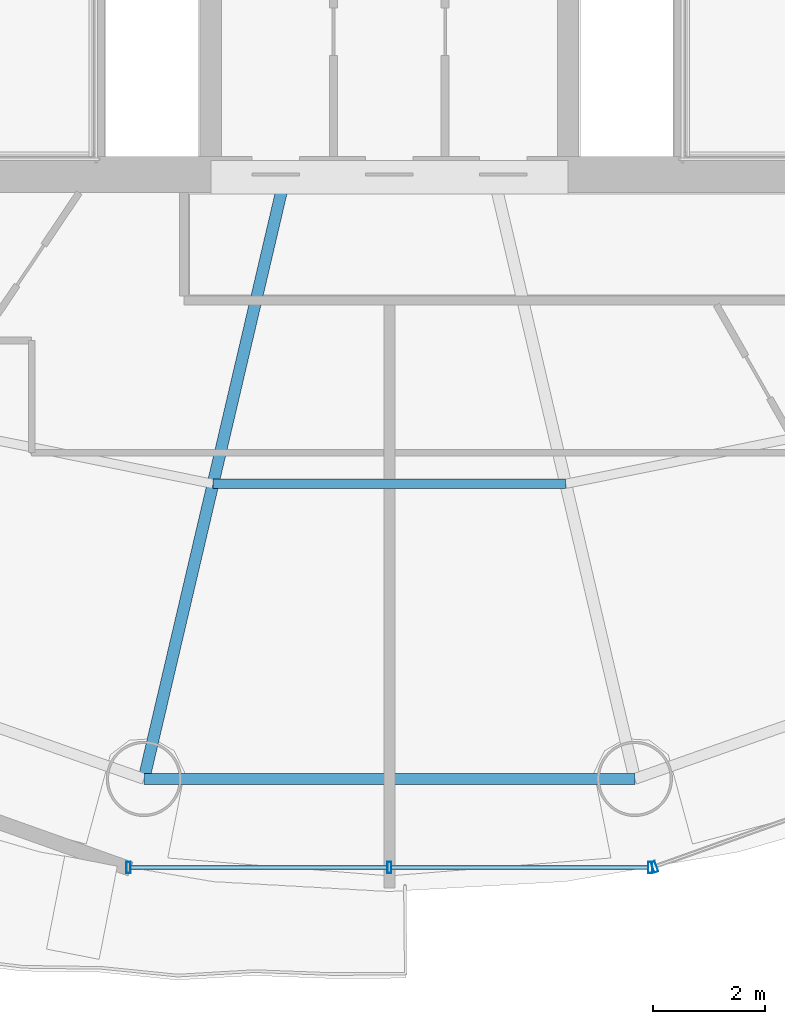
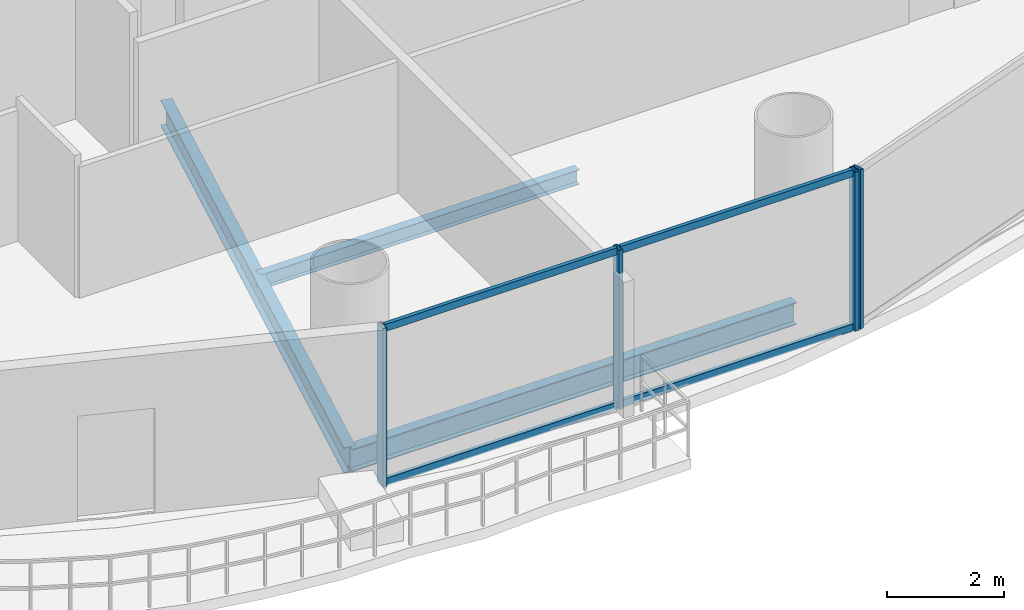
# One storey, part 4 of 26: 8 members, 3 beams, 2 elements without a shape of their own.
"""IFC4 building model written with IfcOpenShell, lengths in metres."""

import ifcopenshell
import ifcopenshell.guid

model = None  # the IFC model being written
_history = None  # IfcOwnerHistory: only IFC2X3 demands one
_inside = {}  # id of a spatial element -> (the spatial element, [elements in it])
_under = {}  # id of a project, library or spatial element -> (it, [spatial elements below it])
_declared = {}  # id of a project -> (the project, [libraries it declares])
_typed = {}  # id of a type object -> (the type object, [elements of that type])
_made_of = {}  # id of a material, layer set ... -> (it, [elements and type objects made of it])


def new_model(schema):
    """Start an empty IFC model of exactly this schema.

    Asked for "IFC4X3", IfcOpenShell would pick the latest addendum, in which some entities
    have other attributes; the version numbers below select the first issue.
    IFC2X3 requires an IfcOwnerHistory on every rooted entity: one is made here for all.
    """
    global model, _history
    if schema == "IFC4X3":
        model = ifcopenshell.file(schema_version=(4, 3, 0, 0))
    else:
        model = ifcopenshell.file(schema=schema)
    _inside.clear()
    _under.clear()
    _declared.clear()
    _typed.clear()
    _made_of.clear()
    _history = None
    if model.schema == "IFC2X3":
        org = make("IfcOrganization", Name="unknown")
        user = make(
            "IfcPersonAndOrganization",
            ThePerson=make("IfcPerson", FamilyName="unknown"),
            TheOrganization=org,
        )
        app = make(
            "IfcApplication",
            ApplicationDeveloper=org,
            Version="unknown",
            ApplicationFullName="unknown",
            ApplicationIdentifier="unknown",
        )
        _history = make(
            "IfcOwnerHistory",
            OwningUser=user,
            OwningApplication=app,
            ChangeAction="ADDED",
            CreationDate=0,
        )
    return model


def make(cls, **values):
    """One entity of the class cls with the attributes given. An attribute that is None is left unset."""
    return model.create_entity(
        cls, **{name: value for name, value in values.items() if value is not None}
    )


def rooted(cls, **values):
    """An entity with a GlobalId (a new one), such as an element, a storey or a relation."""
    return make(cls, GlobalId=ifcopenshell.guid.new(), OwnerHistory=_history, **values)


def si_unit(unit_type, name, prefix=None):
    """IfcSIUnit, for example si_unit("LENGTHUNIT", "METRE", prefix="MILLI")."""
    return make("IfcSIUnit", UnitType=unit_type, Prefix=prefix, Name=name)


def assignment(units):
    """IfcUnitAssignment: the units of a project."""
    return None if units is None else make("IfcUnitAssignment", Units=units)


def point(xyz):
    """IfcCartesianPoint."""
    return None if xyz is None else make("IfcCartesianPoint", Coordinates=xyz)


def direction(xyz):
    """IfcDirection."""
    return None if xyz is None else make("IfcDirection", DirectionRatios=xyz)


def frame(location, z_axis=None, x_axis=None):
    """IfcAxis2Placement3D, a coordinate frame: its origin and axes. An axis left out is left unset."""
    return make(
        "IfcAxis2Placement3D",
        Location=point(location),
        Axis=direction(z_axis),
        RefDirection=direction(x_axis),
    )


def frame_2d(location, x_axis=None):
    """IfcAxis2Placement2D, a coordinate frame in the plane: its origin and x axis."""
    return make(
        "IfcAxis2Placement2D", Location=point(location), RefDirection=direction(x_axis)
    )


def origin():
    """The frame at (0, 0, 0) with its axes left unset."""
    return frame((0.0, 0.0, 0.0))


def origin_2d():
    """The frame at (0, 0) in the plane with its x axis left unset."""
    return frame_2d((0.0, 0.0))


def place(relative_to, where):
    """IfcLocalPlacement: puts the frame where relative to a parent placement (None: the world)."""
    return make(
        "IfcLocalPlacement", PlacementRelTo=relative_to, RelativePlacement=where
    )


def context(
    kind, dimensions, precision=None, world=None, true_north=None, identifier=None
):
    """IfcGeometricRepresentationContext, for example the 3D "Model" context."""
    return make(
        "IfcGeometricRepresentationContext",
        ContextIdentifier=identifier,
        ContextType=kind,
        CoordinateSpaceDimension=dimensions,
        Precision=precision,
        WorldCoordinateSystem=world,
        TrueNorth=true_north,
    )


def subcontext(parent, identifier, kind, view, scale=None):
    """IfcGeometricRepresentationSubContext, for example "Body" below "Model"."""
    return make(
        "IfcGeometricRepresentationSubContext",
        ContextIdentifier=identifier,
        ContextType=kind,
        ParentContext=parent,
        TargetScale=scale,
        TargetView=view,
    )


def project(units=None, contexts=None):
    """IfcProject with its units and contexts."""
    return rooted(
        "IfcProject",
        Name="project",
        RepresentationContexts=contexts,
        UnitsInContext=assignment(units),
    )


def spatial(cls, under=None, at=None, **own):
    """A site, building, storey or space (cls), placed at a placement, below another one or the project."""
    s = rooted(cls, ObjectPlacement=at, **own)
    if under is not None:
        _under.setdefault(under.id(), (under, []))[1].append(s)
    return s


def profile(cls, at=None, kind="AREA", **sizes):
    """A parametric profile (cls). Its sizes go by their IFC names, for example OverallWidth=200.0."""
    return make(cls, ProfileType=kind, Position=at, **sizes)


def hollow_rectangle(**sizes):
    """IfcRectangleHollowProfileDef."""
    return profile("IfcRectangleHollowProfileDef", **sizes)


def i_section(**sizes):
    """IfcIShapeProfileDef."""
    return profile("IfcIShapeProfileDef", **sizes)


def extrude(swept, where, along, depth):
    """IfcExtrudedAreaSolid: the profile swept, set in the frame where, extruded along a direction by depth."""
    return make(
        "IfcExtrudedAreaSolid",
        SweptArea=swept,
        Position=where,
        ExtrudedDirection=direction(along),
        Depth=depth,
    )


def shape(context_of_items, identifier, shape_type, items):
    """IfcShapeRepresentation: the items that make up one representation, for example the "Body"."""
    return make(
        "IfcShapeRepresentation",
        ContextOfItems=context_of_items,
        RepresentationIdentifier=identifier,
        RepresentationType=shape_type,
        Items=items,
    )


def source(mapping_origin, context_of_items, identifier, shape_type, items):
    """IfcRepresentationMap: a shape defined once, which mapped items show again and again."""
    return make(
        "IfcRepresentationMap",
        MappingOrigin=mapping_origin,
        MappedRepresentation=shape(context_of_items, identifier, shape_type, items),
    )


def transform(
    local_origin,
    x_axis=None,
    y_axis=None,
    z_axis=None,
    scale=None,
    scale2=None,
    scale3=None,
    uniform=True,
):
    """IfcCartesianTransformationOperator3D, or its non-uniform kind. x_axis, y_axis, z_axis: its Axis1, 2, 3."""
    if uniform:
        return make(
            "IfcCartesianTransformationOperator3D",
            Axis1=direction(x_axis),
            Axis2=direction(y_axis),
            LocalOrigin=point(local_origin),
            Scale=scale,
            Axis3=direction(z_axis),
        )
    return make(
        "IfcCartesianTransformationOperator3DnonUniform",
        Axis1=direction(x_axis),
        Axis2=direction(y_axis),
        LocalOrigin=point(local_origin),
        Scale=scale,
        Axis3=direction(z_axis),
        Scale2=scale2,
        Scale3=scale3,
    )


def mapped(mapping_source, mapping_target):
    """IfcMappedItem: shows the shape of a source again, moved by a transform."""
    return make(
        "IfcMappedItem", MappingSource=mapping_source, MappingTarget=mapping_target
    )


def material(Name=None, Category=None):
    """IfcMaterial."""
    return make("IfcMaterial", Name=Name, Category=Category)


def material_profile(
    of_material, cross_section, Name=None, Category=None, Priority=None
):
    """IfcMaterialProfile: a cross section and its material."""
    return make(
        "IfcMaterialProfile",
        Name=Name,
        Material=of_material,
        Profile=cross_section,
        Priority=Priority,
        Category=Category,
    )


def profile_set(profiles, Name=None, composite=None):
    """IfcMaterialProfileSet."""
    return make(
        "IfcMaterialProfileSet",
        Name=Name,
        MaterialProfiles=profiles,
        CompositeProfile=composite,
    )


def made_of(thing, what):
    """Note that an element or type object is made of a material, layer set ...; save() writes the relation."""
    if what is not None:
        _made_of.setdefault(what.id(), (what, []))[1].append(thing)
    return thing


def type_object(cls, material=None, **own):
    """A type object (cls), such as IfcWallType, which elements share."""
    return made_of(rooted(cls, **own), material)


def element(
    cls,
    number,
    at=None,
    inside=None,
    cuts=None,
    type_object=None,
    material=None,
    context=None,
    identifier="Body",
    shape_type=None,
    held_by="IfcProductDefinitionShape",
    body=None,
    shapes=None,
    **own,
):
    """One element of the class cls, such as IfcWall. Its Tag is "e" and its number.

    at: its placement. inside: the storey or other place that contains it. cuts: it is an
    opening in that element (IfcRelVoidsElement). A single representation is given by context,
    identifier, shape_type and body (its items); several are given by shapes. held_by: the class
    of the entity that holds the representations. save() writes the other relations.
    """
    e = rooted(cls, Tag="e%d" % number, ObjectPlacement=at, **own)
    if body is not None:
        shapes = [shape(context, identifier, shape_type, body)]
    if shapes is not None:
        e.Representation = make(held_by, Representations=shapes)
    if inside is not None:
        _inside.setdefault(inside.id(), (inside, []))[1].append(e)
    if cuts is not None:
        rooted(
            "IfcRelVoidsElement", RelatingBuildingElement=cuts, RelatedOpeningElement=e
        )
    if type_object is not None:
        _typed.setdefault(type_object.id(), (type_object, []))[1].append(e)
    return made_of(e, material)


def aggregate(whole, parts):
    """IfcRelAggregates: a whole, such as a stair, and the parts it consists of."""
    return rooted("IfcRelAggregates", RelatingObject=whole, RelatedObjects=parts)


def save(model, path):
    """Write the relations noted so far, then the file.

    IfcRelAggregates (storeys below a building ...), IfcRelContainedInSpatialStructure (elements
    in a storey), IfcRelDefinesByType, IfcRelAssociatesMaterial and IfcRelDeclares: one each for
    every whole, place, type object, material and project.
    """
    for whole, parts in _under.values():
        aggregate(whole, parts)
    for where, things in _inside.values():
        rooted(
            "IfcRelContainedInSpatialStructure",
            RelatedElements=things,
            RelatingStructure=where,
        )
    for kind, things in _typed.values():
        rooted("IfcRelDefinesByType", RelatedObjects=things, RelatingType=kind)
    for what, things in _made_of.values():
        rooted("IfcRelAssociatesMaterial", RelatedObjects=things, RelatingMaterial=what)
    for by, libraries in _declared.values():
        rooted("IfcRelDeclares", RelatingContext=by, RelatedDefinitions=libraries)
    model.write(path)


model = new_model("IFC4")

# Units and contexts
model_context = context("Model", 3, precision=1e-05, world=origin(), true_north=direction((-0.2419218956, 0.970295726276)))
body_context = subcontext(model_context, "Body", "Model", "MODEL_VIEW")
ifc_project = project(units=[si_unit("LENGTHUNIT", "METRE"), si_unit("AREAUNIT", "SQUARE_METRE"), si_unit("VOLUMEUNIT", "CUBIC_METRE"), si_unit("PLANEANGLEUNIT", "RADIAN"), si_unit("MASSUNIT", "GRAM", prefix="KILO")], contexts=[model_context])

# Site, building, storey
site_placement = place(None, origin())
site = spatial("IfcSite", under=ifc_project, at=site_placement, CompositionType="ELEMENT")
building_placement = place(site_placement, origin())
building = spatial("IfcBuilding", under=site, at=building_placement, Name="Cobrevalo Terracotta Tower", CompositionType="ELEMENT")
storey_placement = place(building_placement, frame((0.0, 0.0, 167.800048828125)))
storey = spatial("IfcBuildingStorey", under=building, at=storey_placement, Name="L44", CompositionType="ELEMENT", Elevation=167.800048828125)

# Beams
ifc_material_1 = material(Name="Steel S355", Category="steel")
ifc_material_profile_1 = material_profile(ifc_material_1, i_section(OverallWidth=0.2109375, OverallDepth=0.5390625, WebThickness=0.01171875, FlangeThickness=0.018798828125, at=origin_2d()), Name="W 530x109")
ifc_profile_set_1 = profile_set([ifc_material_profile_1], Name="Steel S355")
beam_type_1 = type_object("IfcBeamType", Name="Structural Beam W 530x109 (Steel S355)", PredefinedType="BEAM", material=ifc_profile_set_1)
beam_1_placement = place(storey_placement, frame((33.600830078125, 8.01806640625, -0.53955078125), z_axis=(0.228045854186, 0.973650393308, 0.0), x_axis=(-0.973650393308, 0.228045854186, 0.0)))
element("IfcBeam", 1, at=beam_1_placement, inside=storey, type_object=beam_type_1, Name="L44 radial floor girder 12", PredefinedType="BEAM", context=body_context, shape_type="SweptSolid", body=[
    extrude(i_section(OverallWidth=0.2109375, OverallDepth=0.5390625, WebThickness=0.01171875, FlangeThickness=0.018798828125, at=origin_2d()), origin(), (0.0, 0.0, 1.0), 10.863037109375),
])
ifc_material_profile_2 = material_profile(ifc_material_1, i_section(OverallWidth=0.1650390625, OverallDepth=0.31005859375, WebThickness=0.005859375, FlangeThickness=0.009765625, at=origin_2d()), Name="W 310x38.7")
ifc_profile_set_2 = profile_set([ifc_material_profile_2], Name="Steel S355")
beam_type_2 = type_object("IfcBeamType", Name="Structural Joist W 310x38.7 (Steel S355)", PredefinedType="JOIST", material=ifc_profile_set_2)
beam_2_placement = place(storey_placement, frame((34.83935546875, 13.306396484375, -0.425048828125), z_axis=(1.0, 0.0, 0.0), x_axis=(0.0, 1.0, 0.0)))
element("IfcBeam", 2, at=beam_2_placement, inside=storey, type_object=beam_type_2, Name="L44 circumferential secondary floor joist 12", PredefinedType="JOIST", context=body_context, shape_type="SweptSolid", body=[
    extrude(i_section(OverallWidth=0.1650390625, OverallDepth=0.31005859375, WebThickness=0.005859375, FlangeThickness=0.009765625, at=origin_2d()), origin(), (0.0, 0.0, 1.0), 6.3212890625),
])
ifc_material_profile_3 = material_profile(ifc_material_1, i_section(OverallWidth=0.194091796875, OverallDepth=0.468994140625, WebThickness=0.011474609375, FlangeThickness=0.0205078125, at=origin_2d()), Name="W 460x106")
ifc_profile_set_3 = profile_set([ifc_material_profile_3], Name="Steel S355")
beam_type_3 = type_object("IfcBeamType", Name="Structural Spandrel W 460x106 (Steel S355)", PredefinedType="SPANDREL", material=ifc_profile_set_3)
beam_3_placement = place(storey_placement, frame((33.600830078125, 8.01806640625, -0.504638671875), z_axis=(1.0, 0.0, 0.0), x_axis=(0.0, 1.0, 0.0)))
element("IfcBeam", 3, at=beam_3_placement, inside=storey, type_object=beam_type_3, Name="L44 perimeter ring spandrel 12", PredefinedType="SPANDREL", context=body_context, shape_type="SweptSolid", body=[
    extrude(i_section(OverallWidth=0.194091796875, OverallDepth=0.468994140625, WebThickness=0.011474609375, FlangeThickness=0.0205078125, at=origin_2d()), origin(), (0.0, 0.0, 1.0), 8.79833984375),
])

# Curtain wall, members
ifc_material_2 = material(Name="Anodized aluminium", Category="aluminium")
curtain_wall_type = type_object("IfcCurtainWallType", Name="Mid-tower high-wind unitised curtain wall CW-U2", PredefinedType="NOTDEFINED", material=ifc_material_2)
curtain_wall_1_placement = place(storey_placement, origin())
curtain_wall_1 = element("IfcCurtainWall", 4, at=curtain_wall_1_placement, inside=storey, type_object=curtain_wall_type, Name="L44 curtain wall CW-L44-S12", PredefinedType="NOTDEFINED")
ifc_material_profile_4 = material_profile(ifc_material_2, hollow_rectangle(XDim=0.074951171875, YDim=0.14990234375, WallThickness=0.00439453125, at=origin_2d()), Name="CWT 75x150")
ifc_profile_set_4 = profile_set([ifc_material_profile_4], Name="Anodized aluminium")
member_type_1 = type_object("IfcMemberType", Name="Tower unitised aluminium transom 75x150", PredefinedType="USERDEFINED", material=ifc_profile_set_4)
shared_shape_1 = source(origin(), body_context, "Body", "SweptSolid", [
    extrude(hollow_rectangle(XDim=0.074951171875, YDim=0.14990234375, WallThickness=0.00439453125, at=origin_2d()), origin(), (0.0, 0.0, 1.0), 4.59521484375),
])
member_1_placement = place(storey_placement, frame((33.36474609375, 6.42919921875, 0.050048828125), z_axis=(1.0, 0.0, 0.0), x_axis=(0.0, 1.0, 0.0)))
member_1 = element("IfcMember", 5, at=member_1_placement, type_object=member_type_1, Name="CW-L44-S12 transom B01-T1", ObjectType="TRANSOM", PredefinedType="USERDEFINED", context=body_context, shape_type="MappedRepresentation", body=[
    mapped(shared_shape_1, transform((0.0, 0.0, 0.0), scale=1.0)),
])
member_2_placement = place(storey_placement, frame((33.36474609375, 6.42919921875, 3.280029296875), z_axis=(1.0, 0.0, 0.0), x_axis=(0.0, 1.0, 0.0)))
member_2 = element("IfcMember", 6, at=member_2_placement, type_object=member_type_1, Name="CW-L44-S12 transom B01-T2", ObjectType="TRANSOM", PredefinedType="USERDEFINED", context=body_context, shape_type="MappedRepresentation", body=[
    mapped(shared_shape_1, transform((0.0, 0.0, 0.0), scale=1.0)),
])
member_3_placement = place(storey_placement, frame((38.0400390625, 6.42919921875, 0.050048828125), z_axis=(1.0, 0.0, 0.0), x_axis=(0.0, 1.0, 0.0)))
member_3 = element("IfcMember", 7, at=member_3_placement, type_object=member_type_1, Name="CW-L44-S12 transom B02-T1", ObjectType="TRANSOM", PredefinedType="USERDEFINED", context=body_context, shape_type="MappedRepresentation", body=[
    mapped(shared_shape_1, transform((0.0, 0.0, 0.0), scale=1.0)),
])
member_4_placement = place(storey_placement, frame((38.0400390625, 6.42919921875, 3.280029296875), z_axis=(1.0, 0.0, 0.0), x_axis=(0.0, 1.0, 0.0)))
member_4 = element("IfcMember", 8, at=member_4_placement, type_object=member_type_1, Name="CW-L44-S12 transom B02-T2", ObjectType="TRANSOM", PredefinedType="USERDEFINED", context=body_context, shape_type="MappedRepresentation", body=[
    mapped(shared_shape_1, transform((0.0, 0.0, 0.0), scale=1.0)),
])
ifc_material_profile_5 = material_profile(ifc_material_2, hollow_rectangle(XDim=0.074951171875, YDim=0.199951171875, WallThickness=0.0048828125, at=origin_2d()), Name="CWM 75x200")
ifc_profile_set_5 = profile_set([ifc_material_profile_5], Name="Anodized aluminium")
member_type_2 = type_object("IfcMemberType", Name="Lower/mid tower unitised mullion 75x200", PredefinedType="MULLION", material=ifc_profile_set_5)
shared_shape_2 = source(origin(), body_context, "Body", "SweptSolid", [
    extrude(hollow_rectangle(XDim=0.074951171875, YDim=0.199951171875, WallThickness=0.0048828125, at=origin_2d()), origin(), (0.0, 0.0, 1.0), 3.329833984375),
])
member_5_placement = place(storey_placement, frame((33.32470703125, 6.42919921875, 0.0), z_axis=(0.0, 0.0, 1.0), x_axis=(1.0, 0.0, 0.0)))
member_5 = element("IfcMember", 9, at=member_5_placement, type_object=member_type_2, Name="CW-L44-S12 vertical mullion 01", PredefinedType="MULLION", context=body_context, shape_type="MappedRepresentation", body=[
    mapped(shared_shape_2, transform((0.0, 0.0, 0.0), scale=1.0)),
])
member_6_placement = place(storey_placement, frame((38.0, 6.42919921875, 0.0), z_axis=(0.0, 0.0, 1.0), x_axis=(1.0, 0.0, 0.0)))
member_6 = element("IfcMember", 10, at=member_6_placement, type_object=member_type_2, Name="CW-L44-S12 vertical mullion 02", PredefinedType="MULLION", context=body_context, shape_type="MappedRepresentation", body=[
    mapped(shared_shape_2, transform((0.0, 0.0, 0.0), scale=1.0)),
])
member_7_placement = place(storey_placement, frame((42.67529296875, 6.42919921875, 0.0), z_axis=(0.0, 0.0, 1.0), x_axis=(1.0, 0.0, 0.0)))
member_7 = element("IfcMember", 11, at=member_7_placement, type_object=member_type_2, Name="CW-L44-S12 vertical mullion 03", PredefinedType="MULLION", context=body_context, shape_type="MappedRepresentation", body=[
    mapped(shared_shape_2, transform((0.0, 0.0, 0.0), scale=1.0)),
])
aggregate(curtain_wall_1, [member_5, member_6, member_7, member_1, member_2, member_3, member_4])

# Curtain wall, member
curtain_wall_2_placement = place(storey_placement, origin())
curtain_wall_2 = element("IfcCurtainWall", 12, at=curtain_wall_2_placement, inside=storey, type_object=curtain_wall_type, Name="L44 curtain wall CW-L44-S13", PredefinedType="NOTDEFINED")
member_8_placement = place(storey_placement, frame((42.7529296875, 6.4423828125, 0.0), z_axis=(0.0, 0.0, 1.0), x_axis=(0.942098428897, 0.335336473217, 0.0)))
member_8 = element("IfcMember", 13, at=member_8_placement, type_object=member_type_2, Name="CW-L44-S13 vertical mullion 01", PredefinedType="MULLION", context=body_context, shape_type="MappedRepresentation", body=[
    mapped(shared_shape_2, transform((0.0, 0.0, 0.0), scale=1.0)),
])
aggregate(curtain_wall_2, [member_8])

save(model, "model.ifc")
